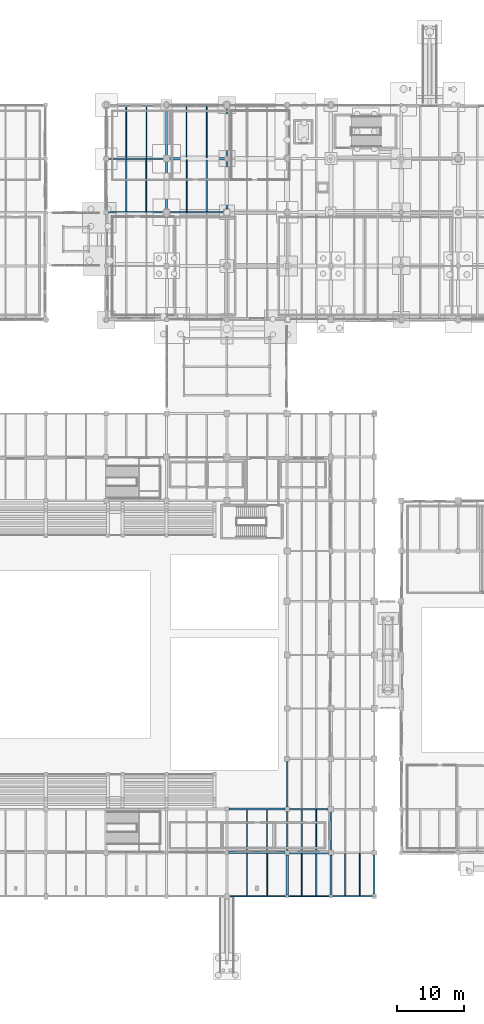
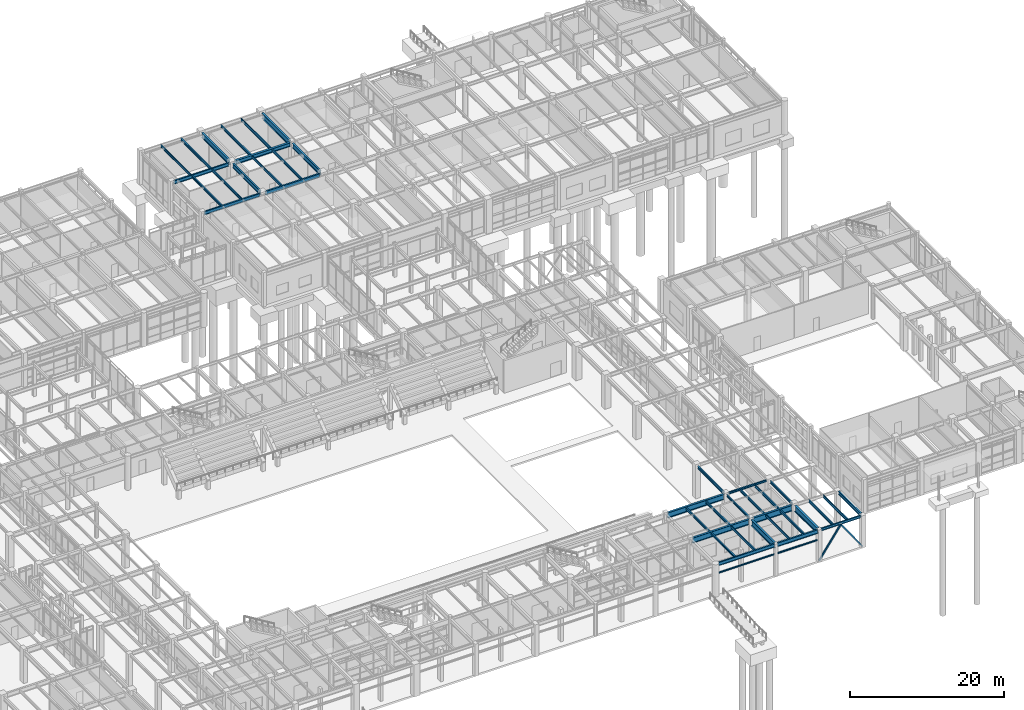
# One storey, part 103 of 203: 41 beams, 2 members.
"""IFC4 building model written with IfcOpenShell, lengths in metres."""

from ifc_helpers import new_model, si_unit, direction, frame, origin, origin_2d, place, context, subcontext, project, spatial, hollow_rectangle, i_section, extrude, material, material_profile, profile_set, type_object, element, save


model = new_model("IFC4")

# Units and contexts
model_context = context("Model", 3, precision=1e-05, world=origin(), true_north=direction((0.0, 1.0)))
body_context = subcontext(model_context, "Body", "Model", "MODEL_VIEW")
ifc_project = project(units=[si_unit("LENGTHUNIT", "METRE"), si_unit("AREAUNIT", "SQUARE_METRE"), si_unit("VOLUMEUNIT", "CUBIC_METRE"), si_unit("PLANEANGLEUNIT", "RADIAN"), si_unit("MASSUNIT", "GRAM", prefix="KILO"), si_unit("THERMODYNAMICTEMPERATUREUNIT", "KELVIN"), si_unit("POWERUNIT", "WATT")], contexts=[model_context])

# Site, building, storey
site_placement = place(None, origin())
site = spatial("IfcSite", under=ifc_project, at=site_placement, CompositionType="ELEMENT")
building_placement = place(site_placement, origin())
building = spatial("IfcBuilding", under=site, at=building_placement, Name="Tepalcoro Natatorium and Aquatics Centre", CompositionType="ELEMENT")
storey_placement = place(building_placement, origin())
storey = spatial("IfcBuildingStorey", under=building, at=storey_placement, Name="L00", CompositionType="ELEMENT", Elevation=0.0)

# Beams
ifc_material_1 = material(Name="Steel ASTM A992 Grade 50 (Fy 345 MPa)", Category="steel")
ifc_material_profile_1 = material_profile(ifc_material_1, i_section(OverallWidth=0.202880859375, OverallDepth=0.304931640625, WebThickness=0.007080078125, FlangeThickness=0.012939453125, FilletRadius=0.013916015625, at=origin_2d()), Name="W12X40")
ifc_profile_set_1 = profile_set([ifc_material_profile_1], Name="Steel ASTM A992 Grade 50 (Fy 345 MPa)")
beam_type_1 = type_object("IfcBeamType", Name="BM_W12x40", PredefinedType="BEAM", material=ifc_profile_set_1)
beam_1_placement = place(storey_placement, frame((125.3349609375, 13.0, 4.972412109375), z_axis=(1.0, 0.0, 0.0), x_axis=(0.0, 1.0, 0.0)))
element("IfcBeam", 1, at=beam_1_placement, inside=storey, type_object=beam_type_1, Name="V1 L00 Grid Girder X", PredefinedType="BEAM", context=body_context, shape_type="SweptSolid", body=[
    extrude(i_section(OverallWidth=0.202880859375, OverallDepth=0.304931640625, WebThickness=0.007080078125, FlangeThickness=0.012939453125, FilletRadius=0.013916015625, at=origin_2d()), origin(), (0.0, 0.0, 1.0), 5.780029296875),
])
beam_2_placement = place(storey_placement, frame((125.0, 6.81005859375, 4.972412109375), z_axis=(0.0, 1.0, 0.0), x_axis=(-1.0, 0.0, 0.0)))
element("IfcBeam", 2, at=beam_2_placement, inside=storey, type_object=beam_type_1, Name="V1 L00 Grid Girder Y", PredefinedType="BEAM", context=body_context, shape_type="SweptSolid", body=[
    extrude(i_section(OverallWidth=0.202880859375, OverallDepth=0.304931640625, WebThickness=0.007080078125, FlangeThickness=0.012939453125, FilletRadius=0.013916015625, at=origin_2d()), origin(), (0.0, 0.0, 1.0), 5.85498046875),
])
ifc_material_profile_2 = material_profile(ifc_material_1, i_section(OverallWidth=0.177978515625, OverallDepth=0.406005859375, WebThickness=0.008056640625, FlangeThickness=0.012939453125, FilletRadius=0.013916015625, at=origin_2d()), Name="W16X40")
ifc_profile_set_2 = profile_set([ifc_material_profile_2], Name="Steel ASTM A992 Grade 50 (Fy 345 MPa)")
beam_type_2 = type_object("IfcBeamType", Name="BM_W16x40", PredefinedType="BEAM", material=ifc_profile_set_2)
beam_3_placement = place(storey_placement, frame((131.5, 6.860107421875, 4.882080078125), z_axis=(0.0, 1.0, 0.0), x_axis=(-1.0, 0.0, 0.0)))
element("IfcBeam", 3, at=beam_3_placement, inside=storey, type_object=beam_type_2, Name="V1 L00 Grid Girder Y", PredefinedType="BEAM", context=body_context, shape_type="SweptSolid", body=[
    extrude(i_section(OverallWidth=0.177978515625, OverallDepth=0.406005859375, WebThickness=0.008056640625, FlangeThickness=0.012939453125, FilletRadius=0.013916015625, at=origin_2d()), origin(), (0.0, 0.0, 1.0), 5.7548828125),
])
ifc_material_profile_3 = material_profile(ifc_material_1, i_section(OverallWidth=0.19091796875, OverallDepth=0.45703125, WebThickness=0.009033203125, FlangeThickness=0.013916015625, FilletRadius=0.013916015625, at=origin_2d()), Name="W18X50")
ifc_profile_set_3 = profile_set([ifc_material_profile_3], Name="Steel ASTM A992 Grade 50 (Fy 345 MPa)")
beam_type_3 = type_object("IfcBeamType", Name="BM_W18x50", PredefinedType="BEAM", material=ifc_profile_set_3)
beam_4_placement = place(storey_placement, frame((125.0, 13.3349609375, 4.896484375), z_axis=(0.0, 1.0, 0.0), x_axis=(-1.0, 0.0, 0.0)))
element("IfcBeam", 4, at=beam_4_placement, inside=storey, type_object=beam_type_3, Name="V1 L00 Grid Girder Y", PredefinedType="BEAM", context=body_context, shape_type="SweptSolid", body=[
    extrude(i_section(OverallWidth=0.19091796875, OverallDepth=0.45703125, WebThickness=0.009033203125, FlangeThickness=0.013916015625, FilletRadius=0.013916015625, at=origin_2d()), origin(), (0.0, 0.0, 1.0), 6.804931640625),
])
ifc_material_profile_4 = material_profile(ifc_material_1, i_section(OverallWidth=0.2099609375, OverallDepth=0.532958984375, WebThickness=0.010009765625, FlangeThickness=0.01611328125, FilletRadius=0.013916015625, at=origin_2d()), Name="W21X62")
ifc_profile_set_4 = profile_set([ifc_material_profile_4], Name="Steel ASTM A992 Grade 50 (Fy 345 MPa)")
beam_type_4 = type_object("IfcBeamType", Name="BM_W21x62", PredefinedType="BEAM", material=ifc_profile_set_4)
beam_5_placement = place(storey_placement, frame((98.284912109375, 102.0, 4.8583984375), z_axis=(1.0, 0.0, 0.0), x_axis=(0.0, 1.0, 0.0)))
element("IfcBeam", 5, at=beam_5_placement, inside=storey, type_object=beam_type_4, Name="V5 L00 Grid Girder X", PredefinedType="BEAM", context=body_context, shape_type="SweptSolid", body=[
    extrude(i_section(OverallWidth=0.2099609375, OverallDepth=0.532958984375, WebThickness=0.010009765625, FlangeThickness=0.01611328125, FilletRadius=0.013916015625, at=origin_2d()), origin(), (0.0, 0.0, 1.0), 8.30517578125),
])
ifc_material_profile_5 = material_profile(ifc_material_1, i_section(OverallWidth=0.2119140625, OverallDepth=0.5439453125, WebThickness=0.012939453125, FlangeThickness=0.02099609375, FilletRadius=0.013916015625, at=origin_2d()), Name="W21X83")
ifc_profile_set_5 = profile_set([ifc_material_profile_5], Name="Steel ASTM A992 Grade 50 (Fy 345 MPa)")
beam_type_5 = type_object("IfcBeamType", Name="BM_W21x83", PredefinedType="BEAM", material=ifc_profile_set_5)
beam_6_placement = place(storey_placement, frame((98.31005859375, 110.0, 4.85302734375), z_axis=(1.0, 0.0, 0.0), x_axis=(0.0, 1.0, 0.0)))
element("IfcBeam", 6, at=beam_6_placement, inside=storey, type_object=beam_type_5, Name="V5 L00 Grid Girder X", PredefinedType="BEAM", context=body_context, shape_type="SweptSolid", body=[
    extrude(i_section(OverallWidth=0.2119140625, OverallDepth=0.5439453125, WebThickness=0.012939453125, FlangeThickness=0.02099609375, FilletRadius=0.013916015625, at=origin_2d()), origin(), (0.0, 0.0, 1.0), 8.2548828125),
])
ifc_material_profile_6 = material_profile(ifc_material_1, i_section(OverallWidth=0.324951171875, OverallDepth=0.616943359375, WebThickness=0.013916015625, FlangeThickness=0.02197265625, FilletRadius=0.013916015625, at=origin_2d()), Name="W24X117")
ifc_profile_set_6 = profile_set([ifc_material_profile_6], Name="Steel ASTM A992 Grade 50 (Fy 345 MPa)")
beam_type_6 = type_object("IfcBeamType", Name="BM_W24x117", PredefinedType="BEAM", material=ifc_profile_set_6)
beam_7_placement = place(storey_placement, frame((107.43505859375, 110.0, 4.81640625), z_axis=(1.0, 0.0, 0.0), x_axis=(0.0, 1.0, 0.0)))
element("IfcBeam", 7, at=beam_7_placement, inside=storey, type_object=beam_type_6, Name="V5 L00 Grid Girder X", PredefinedType="BEAM", context=body_context, shape_type="SweptSolid", body=[
    extrude(i_section(OverallWidth=0.324951171875, OverallDepth=0.616943359375, WebThickness=0.013916015625, FlangeThickness=0.02197265625, FilletRadius=0.013916015625, at=origin_2d()), origin(), (0.0, 0.0, 1.0), 8.329833984375),
])
ifc_material_profile_7 = material_profile(ifc_material_1, i_section(OverallWidth=0.22998046875, OverallDepth=0.616943359375, WebThickness=0.012939453125, FlangeThickness=0.02197265625, FilletRadius=0.013916015625, at=origin_2d()), Name="W24X94")
ifc_profile_set_7 = profile_set([ifc_material_profile_7], Name="Steel ASTM A992 Grade 50 (Fy 345 MPa)")
beam_type_7 = type_object("IfcBeamType", Name="BM_W24x94", PredefinedType="BEAM", material=ifc_profile_set_7)
beam_8_placement = place(storey_placement, frame((107.409912109375, 102.0, 4.81640625), z_axis=(1.0, 0.0, 0.0), x_axis=(0.0, 1.0, 0.0)))
element("IfcBeam", 8, at=beam_8_placement, inside=storey, type_object=beam_type_7, Name="V5 L00 Grid Girder X", PredefinedType="BEAM", context=body_context, shape_type="SweptSolid", body=[
    extrude(i_section(OverallWidth=0.22998046875, OverallDepth=0.616943359375, WebThickness=0.012939453125, FlangeThickness=0.02197265625, FilletRadius=0.013916015625, at=origin_2d()), origin(), (0.0, 0.0, 1.0), 8.130126953125),
])
ifc_material_profile_8 = material_profile(ifc_material_1, i_section(OverallWidth=0.25390625, OverallDepth=0.700927734375, WebThickness=0.014892578125, FlangeThickness=0.028076171875, FilletRadius=0.013916015625, at=origin_2d()), Name="W27X129")
ifc_profile_set_8 = profile_set([ifc_material_profile_8], Name="Steel ASTM A992 Grade 50 (Fy 345 MPa)")
beam_type_8 = type_object("IfcBeamType", Name="BM_W27x129", PredefinedType="BEAM", material=ifc_profile_set_8)
beam_9_placement = place(storey_placement, frame((107.0, 102.409912109375, 4.7744140625), z_axis=(0.0, 1.0, 0.0), x_axis=(-1.0, 0.0, 0.0)))
element("IfcBeam", 9, at=beam_9_placement, inside=storey, type_object=beam_type_8, Name="V5 L00 Grid Girder Y", PredefinedType="BEAM", context=body_context, shape_type="SweptSolid", body=[
    extrude(i_section(OverallWidth=0.25390625, OverallDepth=0.700927734375, WebThickness=0.014892578125, FlangeThickness=0.028076171875, FilletRadius=0.013916015625, at=origin_2d()), origin(), (0.0, 0.0, 1.0), 7.155029296875),
])
ifc_material_profile_9 = material_profile(ifc_material_1, i_section(OverallWidth=0.26708984375, OverallDepth=0.761962890625, WebThickness=0.013916015625, FlangeThickness=0.02197265625, FilletRadius=0.013916015625, at=origin_2d()), Name="W30X116")
ifc_profile_set_9 = profile_set([ifc_material_profile_9], Name="Steel ASTM A992 Grade 50 (Fy 345 MPa)")
beam_type_9 = type_object("IfcBeamType", Name="BM_W30x116", PredefinedType="BEAM", material=ifc_profile_set_9)
beam_10_placement = place(storey_placement, frame((116.0, 102.4599609375, 4.743896484375), z_axis=(0.0, 1.0, 0.0), x_axis=(-1.0, 0.0, 0.0)))
element("IfcBeam", 10, at=beam_10_placement, inside=storey, type_object=beam_type_9, Name="V5 L00 Grid Girder Y", PredefinedType="BEAM", context=body_context, shape_type="SweptSolid", body=[
    extrude(i_section(OverallWidth=0.26708984375, OverallDepth=0.761962890625, WebThickness=0.013916015625, FlangeThickness=0.02197265625, FilletRadius=0.013916015625, at=origin_2d()), origin(), (0.0, 0.0, 1.0), 7.205078125),
])
ifc_material_profile_10 = material_profile(ifc_material_1, i_section(OverallWidth=0.26708984375, OverallDepth=0.780029296875, WebThickness=0.01708984375, FlangeThickness=0.030029296875, FilletRadius=0.013916015625, at=origin_2d()), Name="W30X148")
ifc_profile_set_10 = profile_set([ifc_material_profile_10], Name="Steel ASTM A992 Grade 50 (Fy 345 MPa)")
beam_type_10 = type_object("IfcBeamType", Name="BM_W30x148", PredefinedType="BEAM", material=ifc_profile_set_10)
beam_11_placement = place(storey_placement, frame((107.0, 110.43505859375, 4.735107421875), z_axis=(0.0, 1.0, 0.0), x_axis=(-1.0, 0.0, 0.0)))
element("IfcBeam", 11, at=beam_11_placement, inside=storey, type_object=beam_type_10, Name="V5 L00 Grid Girder Y", PredefinedType="BEAM", context=body_context, shape_type="SweptSolid", body=[
    extrude(i_section(OverallWidth=0.26708984375, OverallDepth=0.780029296875, WebThickness=0.01708984375, FlangeThickness=0.030029296875, FilletRadius=0.013916015625, at=origin_2d()), origin(), (0.0, 0.0, 1.0), 7.179931640625),
])
ifc_material_profile_11 = material_profile(ifc_material_1, i_section(OverallWidth=0.2919921875, OverallDepth=0.845947265625, WebThickness=0.014892578125, FlangeThickness=0.02392578125, FilletRadius=0.013916015625, at=origin_2d()), Name="W33X141")
ifc_profile_set_11 = profile_set([ifc_material_profile_11], Name="Steel ASTM A992 Grade 50 (Fy 345 MPa)")
beam_type_11 = type_object("IfcBeamType", Name="BM_W33x141", PredefinedType="BEAM", material=ifc_profile_set_11)
beam_12_placement = place(storey_placement, frame((116.260009765625, 6.5, 4.662109375), z_axis=(1.0, 0.0, 0.0), x_axis=(0.0, 1.0, 0.0)))
element("IfcBeam", 12, at=beam_12_placement, inside=storey, type_object=beam_type_11, Name="V1 L00 Grid Girder X", PredefinedType="BEAM", context=body_context, shape_type="SweptSolid", body=[
    extrude(i_section(OverallWidth=0.2919921875, OverallDepth=0.845947265625, WebThickness=0.014892578125, FlangeThickness=0.02392578125, FilletRadius=0.013916015625, at=origin_2d()), origin(), (0.0, 0.0, 1.0), 8.429931640625),
])
beam_13_placement = place(storey_placement, frame((116.0, 110.3349609375, 4.701904296875), z_axis=(0.0, 1.0, 0.0), x_axis=(-1.0, 0.0, 0.0)))
element("IfcBeam", 13, at=beam_13_placement, inside=storey, type_object=beam_type_11, Name="V5 L00 Grid Girder Y", PredefinedType="BEAM", context=body_context, shape_type="SweptSolid", body=[
    extrude(i_section(OverallWidth=0.2919921875, OverallDepth=0.845947265625, WebThickness=0.014892578125, FlangeThickness=0.02392578125, FilletRadius=0.013916015625, at=origin_2d()), origin(), (0.0, 0.0, 1.0), 7.22998046875),
])
ifc_material_profile_12 = material_profile(ifc_material_1, i_section(OverallWidth=0.2919921875, OverallDepth=0.85888671875, WebThickness=0.01708984375, FlangeThickness=0.031005859375, FilletRadius=0.013916015625, at=origin_2d()), Name="W33X169")
ifc_profile_set_12 = profile_set([ifc_material_profile_12], Name="Steel ASTM A992 Grade 50 (Fy 345 MPa)")
beam_type_12 = type_object("IfcBeamType", Name="BM_W33x169", PredefinedType="BEAM", material=ifc_profile_set_12)
beam_14_placement = place(storey_placement, frame((116.284912109375, 13.0, 4.695556640625), z_axis=(1.0, 0.0, 0.0), x_axis=(0.0, 1.0, 0.0)))
element("IfcBeam", 14, at=beam_14_placement, inside=storey, type_object=beam_type_12, Name="V1 L00 Grid Girder X", PredefinedType="BEAM", context=body_context, shape_type="SweptSolid", body=[
    extrude(i_section(OverallWidth=0.2919921875, OverallDepth=0.85888671875, WebThickness=0.01708984375, FlangeThickness=0.031005859375, FilletRadius=0.013916015625, at=origin_2d()), origin(), (0.0, 0.0, 1.0), 8.380126953125),
])
ifc_material_profile_13 = material_profile(ifc_material_1, i_section(OverallWidth=0.304931640625, OverallDepth=0.9189453125, WebThickness=0.01708984375, FlangeThickness=0.028076171875, FilletRadius=0.013916015625, at=origin_2d()), Name="W36X170")
ifc_profile_set_13 = profile_set([ifc_material_profile_13], Name="Steel ASTM A992 Grade 50 (Fy 345 MPa)")
beam_type_13 = type_object("IfcBeamType", Name="BM_W36x170", PredefinedType="BEAM", material=ifc_profile_set_13)
beam_15_placement = place(storey_placement, frame((125.0, 0.2099609375, 4.62548828125), z_axis=(0.0, 1.0, 0.0), x_axis=(-1.0, 0.0, 0.0)))
element("IfcBeam", 15, at=beam_15_placement, inside=storey, type_object=beam_type_13, Name="V1 L00 Grid Girder Y", PredefinedType="BEAM", context=body_context, shape_type="SweptSolid", body=[
    extrude(i_section(OverallWidth=0.304931640625, OverallDepth=0.9189453125, WebThickness=0.01708984375, FlangeThickness=0.028076171875, FilletRadius=0.013916015625, at=origin_2d()), origin(), (0.0, 0.0, 1.0), 5.97998046875),
])
ifc_material_profile_14 = material_profile(ifc_material_1, i_section(OverallWidth=0.31005859375, OverallDepth=0.931884765625, WebThickness=0.02099609375, FlangeThickness=0.034912109375, FilletRadius=0.013916015625, at=origin_2d()), Name="W36X210")
ifc_profile_set_14 = profile_set([ifc_material_profile_14], Name="Steel ASTM A992 Grade 50 (Fy 345 MPa)")
beam_type_14 = type_object("IfcBeamType", Name="BM_W36x210", PredefinedType="BEAM", material=ifc_profile_set_14)
beam_16_placement = place(storey_placement, frame((125.31005859375, 6.5, 4.618896484375), z_axis=(1.0, 0.0, 0.0), x_axis=(0.0, 1.0, 0.0)))
element("IfcBeam", 16, at=beam_16_placement, inside=storey, type_object=beam_type_14, Name="V1 L00 Grid Girder X", PredefinedType="BEAM", context=body_context, shape_type="SweptSolid", body=[
    extrude(i_section(OverallWidth=0.31005859375, OverallDepth=0.931884765625, WebThickness=0.02099609375, FlangeThickness=0.034912109375, FilletRadius=0.013916015625, at=origin_2d()), origin(), (0.0, 0.0, 1.0), 5.829833984375),
])
beam_17_placement = place(storey_placement, frame((131.5, 0.260009765625, 4.618896484375), z_axis=(0.0, 1.0, 0.0), x_axis=(-1.0, 0.0, 0.0)))
element("IfcBeam", 17, at=beam_17_placement, inside=storey, type_object=beam_type_14, Name="V1 L00 Grid Girder Y", PredefinedType="BEAM", context=body_context, shape_type="SweptSolid", body=[
    extrude(i_section(OverallWidth=0.31005859375, OverallDepth=0.931884765625, WebThickness=0.02099609375, FlangeThickness=0.034912109375, FilletRadius=0.013916015625, at=origin_2d()), origin(), (0.0, 0.0, 1.0), 5.8798828125),
])
ifc_material_profile_15 = material_profile(ifc_material_1, i_section(OverallWidth=0.172119140625, OverallDepth=0.35791015625, WebThickness=0.008056640625, FlangeThickness=0.012939453125, FilletRadius=0.013916015625, at=origin_2d()), Name="W14X38")
ifc_profile_set_15 = profile_set([ifc_material_profile_15], Name="Steel ASTM A992 Grade 50 (Fy 345 MPa)")
beam_type_15 = type_object("IfcBeamType", Name="JS_W14x38", PredefinedType="JOIST", material=ifc_profile_set_15)
beam_18_placement = place(storey_placement, frame((119.0, 0.10498046875, 4.906005859375), z_axis=(0.0, 1.0, 0.0), x_axis=(-1.0, 0.0, 0.0)))
element("IfcBeam", 18, at=beam_18_placement, inside=storey, type_object=beam_type_15, Name="V1 L00 Floor Joist", PredefinedType="JOIST", context=body_context, shape_type="SweptSolid", body=[
    extrude(i_section(OverallWidth=0.172119140625, OverallDepth=0.35791015625, WebThickness=0.008056640625, FlangeThickness=0.012939453125, FilletRadius=0.013916015625, at=origin_2d()), origin(), (0.0, 0.0, 1.0), 6.2490234375),
])
beam_19_placement = place(storey_placement, frame((101.0, 102.10498046875, 4.946044921875), z_axis=(0.0, 1.0, 0.0), x_axis=(-1.0, 0.0, 0.0)))
element("IfcBeam", 19, at=beam_19_placement, inside=storey, type_object=beam_type_15, Name="V5 L00 Floor Joist", PredefinedType="JOIST", context=body_context, shape_type="SweptSolid", body=[
    extrude(i_section(OverallWidth=0.172119140625, OverallDepth=0.35791015625, WebThickness=0.008056640625, FlangeThickness=0.012939453125, FilletRadius=0.013916015625, at=origin_2d()), origin(), (0.0, 0.0, 1.0), 7.7890625),
])
ifc_material_profile_16 = material_profile(ifc_material_1, i_section(OverallWidth=0.139892578125, OverallDepth=0.404052734375, WebThickness=0.007080078125, FlangeThickness=0.010986328125, FilletRadius=0.013916015625, at=origin_2d()), Name="W16X31")
ifc_profile_set_16 = profile_set([ifc_material_profile_16], Name="Steel ASTM A992 Grade 50 (Fy 345 MPa)")
beam_type_16 = type_object("IfcBeamType", Name="JS_W16x31", PredefinedType="JOIST", material=ifc_profile_set_16)
beam_20_placement = place(storey_placement, frame((122.0, 0.10498046875, 4.883056640625), z_axis=(0.0, 1.0, 0.0), x_axis=(-1.0, 0.0, 0.0)))
element("IfcBeam", 20, at=beam_20_placement, inside=storey, type_object=beam_type_16, Name="V1 L00 Floor Joist", PredefinedType="JOIST", context=body_context, shape_type="SweptSolid", body=[
    extrude(i_section(OverallWidth=0.139892578125, OverallDepth=0.404052734375, WebThickness=0.007080078125, FlangeThickness=0.010986328125, FilletRadius=0.013916015625, at=origin_2d()), origin(), (0.0, 0.0, 1.0), 6.2490234375),
])
beam_21_placement = place(storey_placement, frame((119.0, 6.64599609375, 4.883056640625), z_axis=(0.0, 1.0, 0.0), x_axis=(-1.0, 0.0, 0.0)))
element("IfcBeam", 21, at=beam_21_placement, inside=storey, type_object=beam_type_16, Name="V1 L00 Floor Joist", PredefinedType="JOIST", context=body_context, shape_type="SweptSolid", body=[
    extrude(i_section(OverallWidth=0.139892578125, OverallDepth=0.404052734375, WebThickness=0.007080078125, FlangeThickness=0.010986328125, FilletRadius=0.013916015625, at=origin_2d()), origin(), (0.0, 0.0, 1.0), 6.2080078125),
])
beam_22_placement = place(storey_placement, frame((127.166748046875, 0.114501953125, 4.883056640625), z_axis=(0.0, 1.0, 0.0), x_axis=(-1.0, 0.0, 0.0)))
element("IfcBeam", 22, at=beam_22_placement, inside=storey, type_object=beam_type_16, Name="V1 L00 Floor Joist", PredefinedType="JOIST", context=body_context, shape_type="SweptSolid", body=[
    extrude(i_section(OverallWidth=0.139892578125, OverallDepth=0.404052734375, WebThickness=0.007080078125, FlangeThickness=0.010986328125, FilletRadius=0.013916015625, at=origin_2d()), origin(), (0.0, 0.0, 1.0), 6.23046875),
])
beam_23_placement = place(storey_placement, frame((104.0, 102.10498046875, 4.923095703125), z_axis=(0.0, 1.0, 0.0), x_axis=(-1.0, 0.0, 0.0)))
element("IfcBeam", 23, at=beam_23_placement, inside=storey, type_object=beam_type_16, Name="V5 L00 Floor Joist", PredefinedType="JOIST", context=body_context, shape_type="SweptSolid", body=[
    extrude(i_section(OverallWidth=0.139892578125, OverallDepth=0.404052734375, WebThickness=0.007080078125, FlangeThickness=0.010986328125, FilletRadius=0.013916015625, at=origin_2d()), origin(), (0.0, 0.0, 1.0), 7.7890625),
])
beam_24_placement = place(storey_placement, frame((101.0, 110.10595703125, 4.923095703125), z_axis=(0.0, 1.0, 0.0), x_axis=(-1.0, 0.0, 0.0)))
element("IfcBeam", 24, at=beam_24_placement, inside=storey, type_object=beam_type_16, Name="V5 L00 Floor Joist", PredefinedType="JOIST", context=body_context, shape_type="SweptSolid", body=[
    extrude(i_section(OverallWidth=0.139892578125, OverallDepth=0.404052734375, WebThickness=0.007080078125, FlangeThickness=0.010986328125, FilletRadius=0.013916015625, at=origin_2d()), origin(), (0.0, 0.0, 1.0), 7.798583984375),
])
beam_25_placement = place(storey_placement, frame((110.0, 102.114990234375, 4.923095703125), z_axis=(0.0, 1.0, 0.0), x_axis=(-1.0, 0.0, 0.0)))
element("IfcBeam", 25, at=beam_25_placement, inside=storey, type_object=beam_type_16, Name="V5 L00 Floor Joist", PredefinedType="JOIST", context=body_context, shape_type="SweptSolid", body=[
    extrude(i_section(OverallWidth=0.139892578125, OverallDepth=0.404052734375, WebThickness=0.007080078125, FlangeThickness=0.010986328125, FilletRadius=0.013916015625, at=origin_2d()), origin(), (0.0, 0.0, 1.0), 7.722412109375),
])
ifc_material_profile_17 = material_profile(ifc_material_1, i_section(OverallWidth=0.178955078125, OverallDepth=0.409912109375, WebThickness=0.009033203125, FlangeThickness=0.013916015625, FilletRadius=0.013916015625, at=origin_2d()), Name="W16X45")
ifc_profile_set_17 = profile_set([ifc_material_profile_17], Name="Steel ASTM A992 Grade 50 (Fy 345 MPa)")
beam_type_17 = type_object("IfcBeamType", Name="JS_W16x45", PredefinedType="JOIST", material=ifc_profile_set_17)
beam_26_placement = place(storey_placement, frame((122.0, 6.64599609375, 4.8798828125), z_axis=(0.0, 1.0, 0.0), x_axis=(-1.0, 0.0, 0.0)))
element("IfcBeam", 26, at=beam_26_placement, inside=storey, type_object=beam_type_17, Name="V1 L00 Floor Joist", PredefinedType="JOIST", context=body_context, shape_type="SweptSolid", body=[
    extrude(i_section(OverallWidth=0.178955078125, OverallDepth=0.409912109375, WebThickness=0.009033203125, FlangeThickness=0.013916015625, FilletRadius=0.013916015625, at=origin_2d()), origin(), (0.0, 0.0, 1.0), 6.2080078125),
])
beam_27_placement = place(storey_placement, frame((129.333251953125, 0.114501953125, 4.8798828125), z_axis=(0.0, 1.0, 0.0), x_axis=(-1.0, 0.0, 0.0)))
element("IfcBeam", 27, at=beam_27_placement, inside=storey, type_object=beam_type_17, Name="V1 L00 Floor Joist", PredefinedType="JOIST", context=body_context, shape_type="SweptSolid", body=[
    extrude(i_section(OverallWidth=0.178955078125, OverallDepth=0.409912109375, WebThickness=0.009033203125, FlangeThickness=0.013916015625, FilletRadius=0.013916015625, at=origin_2d()), origin(), (0.0, 0.0, 1.0), 6.23046875),
])
beam_28_placement = place(storey_placement, frame((127.166748046875, 6.655029296875, 4.8798828125), z_axis=(0.0, 1.0, 0.0), x_axis=(-1.0, 0.0, 0.0)))
element("IfcBeam", 28, at=beam_28_placement, inside=storey, type_object=beam_type_17, Name="V1 L00 Floor Joist", PredefinedType="JOIST", context=body_context, shape_type="SweptSolid", body=[
    extrude(i_section(OverallWidth=0.178955078125, OverallDepth=0.409912109375, WebThickness=0.009033203125, FlangeThickness=0.013916015625, FilletRadius=0.013916015625, at=origin_2d()), origin(), (0.0, 0.0, 1.0), 6.243408203125),
])
beam_29_placement = place(storey_placement, frame((133.666748046875, 0.090087890625, 4.8798828125), z_axis=(0.0, 1.0, 0.0), x_axis=(-1.0, 0.0, 0.0)))
element("IfcBeam", 29, at=beam_29_placement, inside=storey, type_object=beam_type_17, Name="V1 L00 Floor Joist", PredefinedType="JOIST", context=body_context, shape_type="SweptSolid", body=[
    extrude(i_section(OverallWidth=0.178955078125, OverallDepth=0.409912109375, WebThickness=0.009033203125, FlangeThickness=0.013916015625, FilletRadius=0.013916015625, at=origin_2d()), origin(), (0.0, 0.0, 1.0), 6.314453125),
])
beam_30_placement = place(storey_placement, frame((104.0, 110.10595703125, 4.919921875), z_axis=(0.0, 1.0, 0.0), x_axis=(-1.0, 0.0, 0.0)))
element("IfcBeam", 30, at=beam_30_placement, inside=storey, type_object=beam_type_17, Name="V5 L00 Floor Joist", PredefinedType="JOIST", context=body_context, shape_type="SweptSolid", body=[
    extrude(i_section(OverallWidth=0.178955078125, OverallDepth=0.409912109375, WebThickness=0.009033203125, FlangeThickness=0.013916015625, FilletRadius=0.013916015625, at=origin_2d()), origin(), (0.0, 0.0, 1.0), 7.798583984375),
])
beam_31_placement = place(storey_placement, frame((113.0, 102.114990234375, 4.919921875), z_axis=(0.0, 1.0, 0.0), x_axis=(-1.0, 0.0, 0.0)))
element("IfcBeam", 31, at=beam_31_placement, inside=storey, type_object=beam_type_17, Name="V5 L00 Floor Joist", PredefinedType="JOIST", context=body_context, shape_type="SweptSolid", body=[
    extrude(i_section(OverallWidth=0.178955078125, OverallDepth=0.409912109375, WebThickness=0.009033203125, FlangeThickness=0.013916015625, FilletRadius=0.013916015625, at=origin_2d()), origin(), (0.0, 0.0, 1.0), 7.722412109375),
])
beam_32_placement = place(storey_placement, frame((110.0, 110.16259765625, 4.919921875), z_axis=(0.0, 1.0, 0.0), x_axis=(-1.0, 0.0, 0.0)))
element("IfcBeam", 32, at=beam_32_placement, inside=storey, type_object=beam_type_17, Name="V5 L00 Floor Joist", PredefinedType="JOIST", context=body_context, shape_type="SweptSolid", body=[
    extrude(i_section(OverallWidth=0.178955078125, OverallDepth=0.409912109375, WebThickness=0.009033203125, FlangeThickness=0.013916015625, FilletRadius=0.013916015625, at=origin_2d()), origin(), (0.0, 0.0, 1.0), 7.732421875),
])
ifc_material_profile_18 = material_profile(ifc_material_1, i_section(OverallWidth=0.153076171875, OverallDepth=0.455078125, WebThickness=0.008056640625, FlangeThickness=0.012939453125, FilletRadius=0.013916015625, at=origin_2d()), Name="W18X40")
ifc_profile_set_18 = profile_set([ifc_material_profile_18], Name="Steel ASTM A992 Grade 50 (Fy 345 MPa)")
beam_type_18 = type_object("IfcBeamType", Name="JS_W18x40", PredefinedType="JOIST", material=ifc_profile_set_18)
beam_33_placement = place(storey_placement, frame((129.333251953125, 6.655029296875, 4.857421875), z_axis=(0.0, 1.0, 0.0), x_axis=(-1.0, 0.0, 0.0)))
element("IfcBeam", 33, at=beam_33_placement, inside=storey, type_object=beam_type_18, Name="V1 L00 Floor Joist", PredefinedType="JOIST", context=body_context, shape_type="SweptSolid", body=[
    extrude(i_section(OverallWidth=0.153076171875, OverallDepth=0.455078125, WebThickness=0.008056640625, FlangeThickness=0.012939453125, FilletRadius=0.013916015625, at=origin_2d()), origin(), (0.0, 0.0, 1.0), 6.243408203125),
])
beam_34_placement = place(storey_placement, frame((135.833251953125, 0.090087890625, 4.857421875), z_axis=(0.0, 1.0, 0.0), x_axis=(-1.0, 0.0, 0.0)))
element("IfcBeam", 34, at=beam_34_placement, inside=storey, type_object=beam_type_18, Name="V1 L00 Floor Joist", PredefinedType="JOIST", context=body_context, shape_type="SweptSolid", body=[
    extrude(i_section(OverallWidth=0.153076171875, OverallDepth=0.455078125, WebThickness=0.008056640625, FlangeThickness=0.012939453125, FilletRadius=0.013916015625, at=origin_2d()), origin(), (0.0, 0.0, 1.0), 6.314453125),
])
beam_35_placement = place(storey_placement, frame((113.0, 110.16259765625, 4.8974609375), z_axis=(0.0, 1.0, 0.0), x_axis=(-1.0, 0.0, 0.0)))
element("IfcBeam", 35, at=beam_35_placement, inside=storey, type_object=beam_type_18, Name="V5 L00 Floor Joist", PredefinedType="JOIST", context=body_context, shape_type="SweptSolid", body=[
    extrude(i_section(OverallWidth=0.153076171875, OverallDepth=0.455078125, WebThickness=0.008056640625, FlangeThickness=0.012939453125, FilletRadius=0.013916015625, at=origin_2d()), origin(), (0.0, 0.0, 1.0), 7.732421875),
])
ifc_material_profile_19 = material_profile(ifc_material_1, i_section(OverallWidth=0.133056640625, OverallDepth=0.20703125, WebThickness=0.006103515625, FlangeThickness=0.008056640625, FilletRadius=0.013916015625, at=origin_2d()), Name="W8X18")
ifc_profile_set_19 = profile_set([ifc_material_profile_19], Name="Steel ASTM A992 Grade 50 (Fy 345 MPa)")
beam_type_19 = type_object("IfcBeamType", Name="LN_HSS150x100x8", PredefinedType="LINTEL", material=ifc_profile_set_19)
beam_36_placement = place(storey_placement, frame((116.43505859375, 0.0, 3.39990234375), z_axis=(1.0, 0.0, 0.0), x_axis=(0.0, 1.0, 0.0)))
element("IfcBeam", 36, at=beam_36_placement, inside=storey, type_object=beam_type_19, Name="Colonnade Portico Architrave Lintel", PredefinedType="LINTEL", context=body_context, shape_type="SweptSolid", body=[
    extrude(i_section(OverallWidth=0.133056640625, OverallDepth=0.20703125, WebThickness=0.006103515625, FlangeThickness=0.008056640625, FilletRadius=0.013916015625, at=origin_2d()), origin(), (0.0, 0.0, 1.0), 8.35498046875),
])
ifc_material_profile_20 = material_profile(ifc_material_1, i_section(OverallWidth=0.1650390625, OverallDepth=0.200927734375, WebThickness=0.006103515625, FlangeThickness=0.010009765625, FilletRadius=0.013916015625, at=origin_2d()), Name="W8X24")
ifc_profile_set_20 = profile_set([ifc_material_profile_20], Name="Steel ASTM A992 Grade 50 (Fy 345 MPa)")
beam_type_20 = type_object("IfcBeamType", Name="LN_HSS200x120x10", PredefinedType="LINTEL", material=ifc_profile_set_20)
beam_37_placement = place(storey_placement, frame((125.2099609375, 0.0, 3.39990234375), z_axis=(1.0, 0.0, 0.0), x_axis=(0.0, 1.0, 0.0)))
element("IfcBeam", 37, at=beam_37_placement, inside=storey, type_object=beam_type_20, Name="Colonnade Portico Architrave Lintel", PredefinedType="LINTEL", context=body_context, shape_type="SweptSolid", body=[
    extrude(i_section(OverallWidth=0.1650390625, OverallDepth=0.200927734375, WebThickness=0.006103515625, FlangeThickness=0.010009765625, FilletRadius=0.013916015625, at=origin_2d()), origin(), (0.0, 0.0, 1.0), 6.030029296875),
])

# Members
ifc_material_2 = material(Name="Hollow Steel ASTM A500 Grade C (Fy 345 MPa)", Category="steel")
ifc_material_profile_21 = material_profile(ifc_material_2, hollow_rectangle(XDim=0.199951171875, YDim=0.199951171875, WallThickness=0.011962890625, at=origin_2d()), Name="HSS200X200X12")
ifc_profile_set_21 = profile_set([ifc_material_profile_21], Name="Hollow Steel ASTM A500 Grade C (Fy 345 MPa)")
member_type = type_object("IfcMemberType", Name="MB_BR_HSS200x200x12", PredefinedType="BRACE", material=ifc_profile_set_21)
for number, where, z_axis, x_axis, name in (
    (38, (131.5, 0.0, 0.050048828125), (0.57620726687, 0.0, 0.817303606749), (0.0, 1.0, 0.0), "V1 L00 Chevron Lateral Brace"),
    (39, (138.0, 0.0, 0.050048828125), (-0.57620726687, 0.0, 0.817303606749), (0.0, -1.0, 0.0), "V1 L00 Chevron Lateral Brace"),
):
    element("IfcMember", number, at=place(storey_placement, frame(where, z_axis=z_axis, x_axis=x_axis)), inside=storey, type_object=member_type, Name=name, PredefinedType="BRACE", context=body_context, shape_type="SweptSolid", body=[
        extrude(hollow_rectangle(XDim=0.199951171875, YDim=0.199951171875, WallThickness=0.011962890625, at=origin_2d()), origin(), (0.0, 0.0, 1.0), 5.640380859375),
    ])

# Beams
ifc_material_profile_22 = material_profile(ifc_material_1, i_section(OverallWidth=0.179931640625, OverallDepth=0.4130859375, WebThickness=0.010009765625, FlangeThickness=0.01611328125, FilletRadius=0.013916015625, at=origin_2d()), Name="W16X50")
ifc_profile_set_22 = profile_set([ifc_material_profile_22], Name="Steel ASTM A992 Grade 50 (Fy 345 MPa)")
beam_type_21 = type_object("IfcBeamType", Name="SP_HSS300x200x12", PredefinedType="SPANDREL", material=ifc_profile_set_22)
beam_38_placement = place(storey_placement, frame((131.760009765625, 0.0, 4.87841796875), z_axis=(1.0, 0.0, 0.0), x_axis=(0.0, 1.0, 0.0)))
element("IfcBeam", 40, at=beam_38_placement, inside=storey, type_object=beam_type_21, Name="V1 L00 Grid Girder X", PredefinedType="SPANDREL", context=body_context, shape_type="SweptSolid", body=[
    extrude(i_section(OverallWidth=0.179931640625, OverallDepth=0.4130859375, WebThickness=0.010009765625, FlangeThickness=0.01611328125, FilletRadius=0.013916015625, at=origin_2d()), origin(), (0.0, 0.0, 1.0), 5.929931640625),
])
ifc_material_profile_23 = material_profile(ifc_material_1, i_section(OverallWidth=0.2099609375, OverallDepth=0.535888671875, WebThickness=0.010986328125, FlangeThickness=0.01708984375, FilletRadius=0.013916015625, at=origin_2d()), Name="W21X68")
ifc_profile_set_23 = profile_set([ifc_material_profile_23], Name="Steel ASTM A992 Grade 50 (Fy 345 MPa)")
beam_type_22 = type_object("IfcBeamType", Name="SP_W21x68", PredefinedType="SPANDREL", material=ifc_profile_set_23)
beam_39_placement = place(storey_placement, frame((116.43505859375, 0.0, 4.81689453125), z_axis=(1.0, 0.0, 0.0), x_axis=(0.0, 1.0, 0.0)))
element("IfcBeam", 41, at=beam_39_placement, inside=storey, type_object=beam_type_22, Name="V1 L00 Grid Girder X", PredefinedType="SPANDREL", context=body_context, shape_type="SweptSolid", body=[
    extrude(i_section(OverallWidth=0.2099609375, OverallDepth=0.535888671875, WebThickness=0.010986328125, FlangeThickness=0.01708984375, FilletRadius=0.013916015625, at=origin_2d()), origin(), (0.0, 0.0, 1.0), 8.35498046875),
])
beam_40_placement = place(storey_placement, frame((138.0, 0.31005859375, 4.81689453125), z_axis=(0.0, 1.0, 0.0), x_axis=(-1.0, 0.0, 0.0)))
element("IfcBeam", 42, at=beam_40_placement, inside=storey, type_object=beam_type_22, Name="V1 L00 Grid Girder Y", PredefinedType="SPANDREL", context=body_context, shape_type="SweptSolid", body=[
    extrude(i_section(OverallWidth=0.2099609375, OverallDepth=0.535888671875, WebThickness=0.010986328125, FlangeThickness=0.01708984375, FilletRadius=0.013916015625, at=origin_2d()), origin(), (0.0, 0.0, 1.0), 5.85498046875),
])
ifc_material_profile_24 = material_profile(ifc_material_1, i_section(OverallWidth=0.22900390625, OverallDepth=0.612060546875, WebThickness=0.011962890625, FlangeThickness=0.02001953125, FilletRadius=0.013916015625, at=origin_2d()), Name="W24X84")
ifc_profile_set_24 = profile_set([ifc_material_profile_24], Name="Steel ASTM A992 Grade 50 (Fy 345 MPa)")
beam_type_23 = type_object("IfcBeamType", Name="SP_W24x84", PredefinedType="SPANDREL", material=ifc_profile_set_24)
beam_41_placement = place(storey_placement, frame((125.2099609375, 0.0, 4.779052734375), z_axis=(1.0, 0.0, 0.0), x_axis=(0.0, 1.0, 0.0)))
element("IfcBeam", 43, at=beam_41_placement, inside=storey, type_object=beam_type_23, Name="V1 L00 Grid Girder X", PredefinedType="SPANDREL", context=body_context, shape_type="SweptSolid", body=[
    extrude(i_section(OverallWidth=0.22900390625, OverallDepth=0.612060546875, WebThickness=0.011962890625, FlangeThickness=0.02001953125, FilletRadius=0.013916015625, at=origin_2d()), origin(), (0.0, 0.0, 1.0), 6.030029296875),
])

save(model, "model.ifc")
